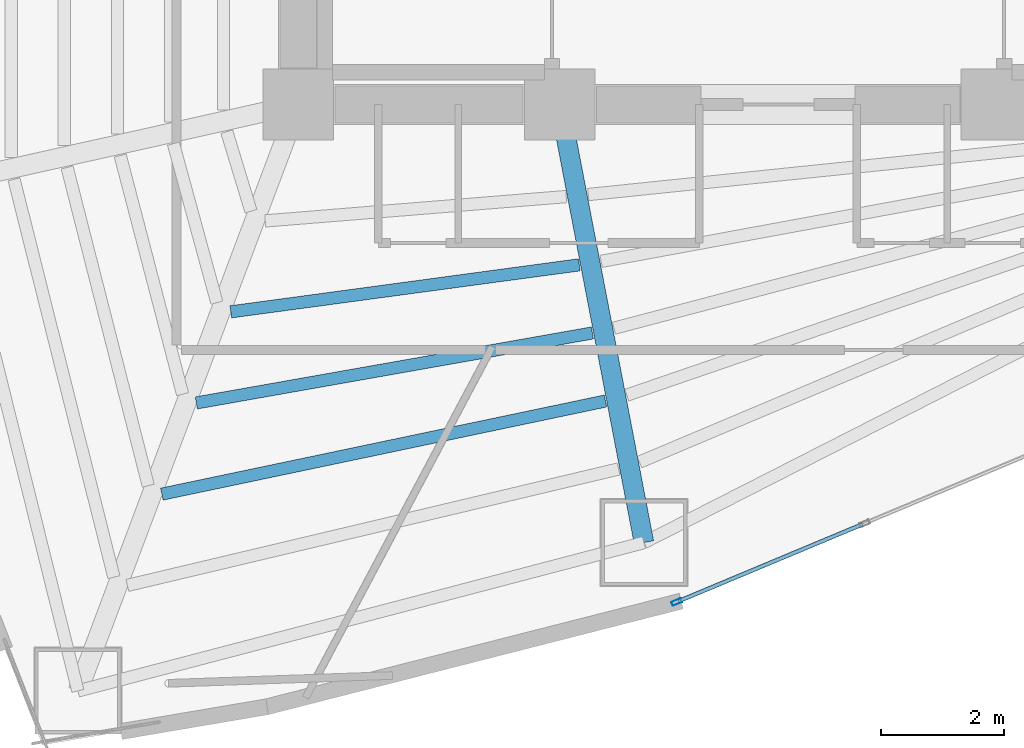
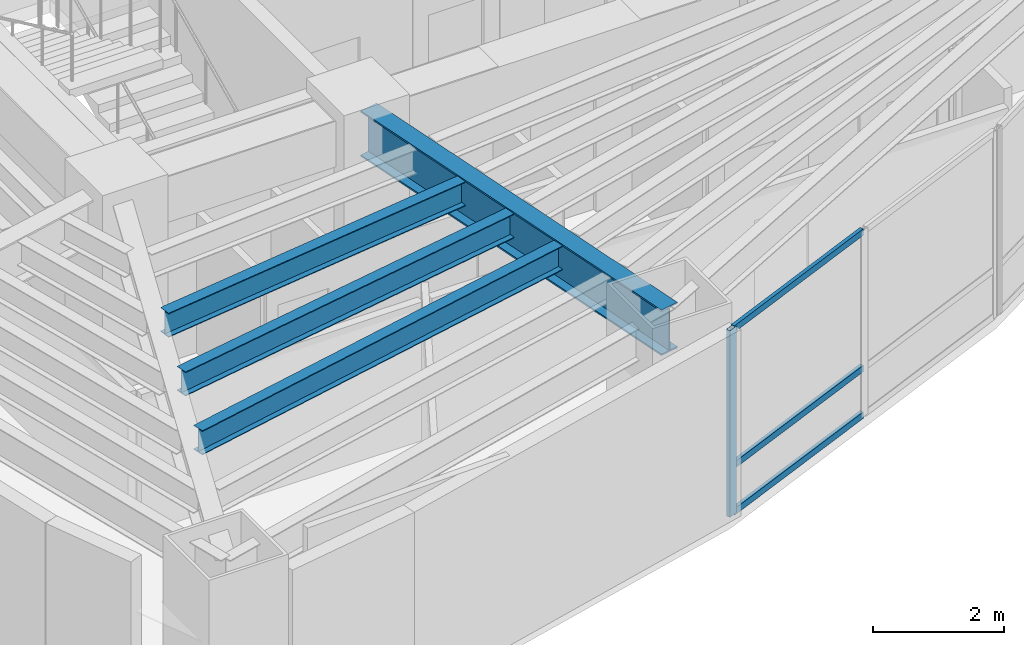
# One storey, part 2 of 18: 4 beams, 4 members, 1 element without a shape of its own.
"""IFC4 building model written with IfcOpenShell, lengths in metres."""

from ifc_helpers import new_model, si_unit, direction, frame, origin, origin_2d, place, context, subcontext, project, spatial, hollow_rectangle, i_section, extrude, material, layer, layer_set, material_profile, profile_set, type_object, element, aggregate, save


model = new_model("IFC4")

# Units and contexts
model_context = context("Model", 3, precision=1e-05, world=origin(), true_north=direction((0.0, 1.0)))
body_context = subcontext(model_context, "Body", "Model", "MODEL_VIEW")
ifc_project = project(units=[si_unit("LENGTHUNIT", "METRE"), si_unit("AREAUNIT", "SQUARE_METRE"), si_unit("VOLUMEUNIT", "CUBIC_METRE"), si_unit("PLANEANGLEUNIT", "RADIAN"), si_unit("MASSUNIT", "GRAM", prefix="KILO")], contexts=[model_context])

# Site, building, storey
site_placement = place(None, origin())
site = spatial("IfcSite", under=ifc_project, at=site_placement, CompositionType="ELEMENT")
building_placement = place(site_placement, origin())
building = spatial("IfcBuilding", under=site, at=building_placement, Name="Menara Vayukalpa", CompositionType="ELEMENT")
storey_placement = place(building_placement, frame((0.0, 0.0, 35.0400390625)))
storey = spatial("IfcBuildingStorey", under=building, at=storey_placement, Name="L07", CompositionType="ELEMENT", Elevation=35.0400390625)

# Beams
ifc_material_1 = material(Name="Steel S355", Category="steel")
ifc_material_profile_1 = material_profile(ifc_material_1, i_section(OverallWidth=0.320068359375, OverallDepth=0.85009765625, WebThickness=0.01611328125, FlangeThickness=0.030029296875, at=origin_2d()), Name="WF 850x320x16x30")
ifc_profile_set_1 = profile_set([ifc_material_profile_1], Name="Steel S355")
beam_type_1 = type_object("IfcBeamType", Name="BM-PG2", PredefinedType="BEAM", material=ifc_profile_set_1)
beam_1_placement = place(storey_placement, frame((22.09716796875, 16.95458984375, 3.044921875), z_axis=(0.188803432672, -0.982014899995, 0.0), x_axis=(0.982014899995, 0.188803432672, 0.0)))
element("IfcBeam", 1, at=beam_1_placement, inside=storey, type_object=beam_type_1, Name="L07 Primary Radial Girder RG08", PredefinedType="BEAM", context=body_context, shape_type="SweptSolid", body=[
    extrude(i_section(OverallWidth=0.320068359375, OverallDepth=0.85009765625, WebThickness=0.01611328125, FlangeThickness=0.030029296875, at=origin_2d()), origin(), (0.0, 0.0, 1.0), 7.00341796875),
])
ifc_material_2 = material(Name="Steel S355", Category="steel")
ifc_material_profile_2 = material_profile(ifc_material_2, i_section(OverallWidth=0.199951171875, OverallDepth=0.449951171875, WebThickness=0.009033203125, FlangeThickness=0.013916015625, at=origin_2d()), Name="WF 450x200x9x14")
ifc_profile_set_2 = profile_set([ifc_material_profile_2], Name="Steel S355")
beam_type_2 = type_object("IfcBeamType", Name="BM-SJ1", PredefinedType="JOIST", material=ifc_profile_set_2)
beam_2_placement = place(storey_placement, frame((16.702392578125, 13.827880859375, 3.244873046875), z_axis=(0.991021966654, 0.13369914588, 0.0), x_axis=(-0.13369914588, 0.991021966654, 0.0)))
element("IfcBeam", 2, at=beam_2_placement, inside=storey, type_object=beam_type_2, Name="L07 Secondary Floor Joist SJ07-2", PredefinedType="JOIST", context=body_context, shape_type="SweptSolid", body=[
    extrude(i_section(OverallWidth=0.199951171875, OverallDepth=0.449951171875, WebThickness=0.009033203125, FlangeThickness=0.013916015625, at=origin_2d()), origin(), (0.0, 0.0, 1.0), 5.71728515625),
])
beam_3_placement = place(storey_placement, frame((16.14208984375, 12.34716796875, 3.244873046875), z_axis=(0.984753096925, 0.173957862993, 0.0), x_axis=(-0.173957862993, 0.984753096925, 0.0)))
element("IfcBeam", 3, at=beam_3_placement, inside=storey, type_object=beam_type_2, Name="L07 Secondary Floor Joist SJ07-3", PredefinedType="JOIST", context=body_context, shape_type="SweptSolid", body=[
    extrude(i_section(OverallWidth=0.199951171875, OverallDepth=0.449951171875, WebThickness=0.009033203125, FlangeThickness=0.013916015625, at=origin_2d()), origin(), (0.0, 0.0, 1.0), 6.53857421875),
])
beam_4_placement = place(storey_placement, frame((15.581787109375, 10.86474609375, 3.244873046875), z_axis=(0.978676146728, 0.205409346977, 0.0), x_axis=(-0.205409346977, 0.978676146728, 0.0)))
element("IfcBeam", 4, at=beam_4_placement, inside=storey, type_object=beam_type_2, Name="L07 Secondary Floor Joist SJ07-4", PredefinedType="JOIST", context=body_context, shape_type="SweptSolid", body=[
    extrude(i_section(OverallWidth=0.199951171875, OverallDepth=0.449951171875, WebThickness=0.009033203125, FlangeThickness=0.013916015625, at=origin_2d()), origin(), (0.0, 0.0, 1.0), 7.369140625),
])

# Curtain wall, members
ifc_material_3 = material(Name="Anodised Terracotta Aluminium Alloy 6063-T6", Category="masonry")
ifc_layer = layer(ifc_material_3, 0.1650390625)
ifc_layer_set = layer_set([ifc_layer], Name="Anodised Terracotta Aluminium Alloy 6063-T6")
curtain_wall_type = type_object("IfcCurtainWallType", Name="CW-CW2", PredefinedType="USERDEFINED", material=ifc_layer_set)
curtain_wall_placement = place(storey_placement, origin())
curtain_wall = element("IfcCurtainWall", 5, at=curtain_wall_placement, inside=storey, type_object=curtain_wall_type, Name="L07 Low Rise Terracotta Ribbon Curtain Wall CW2 16", ObjectType="UNITISED", PredefinedType="USERDEFINED")
ifc_material_4 = material(Name="Anodised Terracotta Aluminium Alloy 6063-T6", Category="masonry")
ifc_material_profile_3 = material_profile(ifc_material_4, hollow_rectangle(XDim=0.070068359375, YDim=0.1650390625, WallThickness=0.00390625, at=origin_2d()), Name="ALU 70x165x4")
ifc_profile_set_3 = profile_set([ifc_material_profile_3], Name="Anodised Terracotta Aluminium Alloy 6063-T6")
member_type_1 = type_object("IfcMemberType", Name="CWM-CW2", PredefinedType="MULLION", material=ifc_profile_set_3)
member_1_placement = place(storey_placement, frame((23.950927734375, 9.110595703125, 0.0), z_axis=(0.0, 0.0, 1.0), x_axis=(-0.385895120445, 0.922542658101, 0.0)))
member_1 = element("IfcMember", 6, at=member_1_placement, type_object=member_type_1, Name="CW2 mullion 1", PredefinedType="MULLION", context=body_context, shape_type="SweptSolid", body=[
    extrude(hollow_rectangle(XDim=0.070068359375, YDim=0.1650390625, WallThickness=0.00390625, at=origin_2d()), origin(), (0.0, 0.0, 1.0), 3.469970703125),
])
ifc_material_5 = material(Name="Anodised Terracotta Aluminium Alloy 6063-T6", Category="masonry")
ifc_material_profile_4 = material_profile(ifc_material_5, hollow_rectangle(XDim=0.06494140625, YDim=0.1201171875, WallThickness=0.00341796875, at=origin_2d()), Name="ALU 65x120x3.5")
ifc_profile_set_4 = profile_set([ifc_material_profile_4], Name="Anodised Terracotta Aluminium Alloy 6063-T6")
member_type_2 = type_object("IfcMemberType", Name="CWT-CW2", PredefinedType="USERDEFINED", material=ifc_profile_set_4)
member_2_placement = place(storey_placement, frame((23.983154296875, 9.1240234375, 0.032470703125), z_axis=(0.922552588381, 0.385871379699, 0.0), x_axis=(-0.385871379699, 0.922552588381, 0.0)))
member_2 = element("IfcMember", 7, at=member_2_placement, type_object=member_type_2, Name="CW2 transom 1.1", ObjectType="TRANSOM", PredefinedType="USERDEFINED", context=body_context, shape_type="SweptSolid", body=[
    extrude(hollow_rectangle(XDim=0.06494140625, YDim=0.1201171875, WallThickness=0.00341796875, at=origin_2d()), origin(), (0.0, 0.0, 1.0), 3.24267578125),
])
member_3_placement = place(storey_placement, frame((23.983154296875, 9.1240234375, 0.89990234375), z_axis=(0.922552588381, 0.385871379699, 0.0), x_axis=(-0.385871379699, 0.922552588381, 0.0)))
member_3 = element("IfcMember", 8, at=member_3_placement, type_object=member_type_2, Name="CW2 transom 1.2", ObjectType="TRANSOM", PredefinedType="USERDEFINED", context=body_context, shape_type="SweptSolid", body=[
    extrude(hollow_rectangle(XDim=0.06494140625, YDim=0.1201171875, WallThickness=0.00341796875, at=origin_2d()), origin(), (0.0, 0.0, 1.0), 3.24267578125),
])
member_4_placement = place(storey_placement, frame((23.983154296875, 9.1240234375, 3.4375), z_axis=(0.922552588381, 0.385871379699, 0.0), x_axis=(-0.385871379699, 0.922552588381, 0.0)))
member_4 = element("IfcMember", 9, at=member_4_placement, type_object=member_type_2, Name="CW2 transom 1.3", ObjectType="TRANSOM", PredefinedType="USERDEFINED", context=body_context, shape_type="SweptSolid", body=[
    extrude(hollow_rectangle(XDim=0.06494140625, YDim=0.1201171875, WallThickness=0.00341796875, at=origin_2d()), origin(), (0.0, 0.0, 1.0), 3.24267578125),
])
aggregate(curtain_wall, [member_1, member_2, member_3, member_4])

save(model, "model.ifc")
